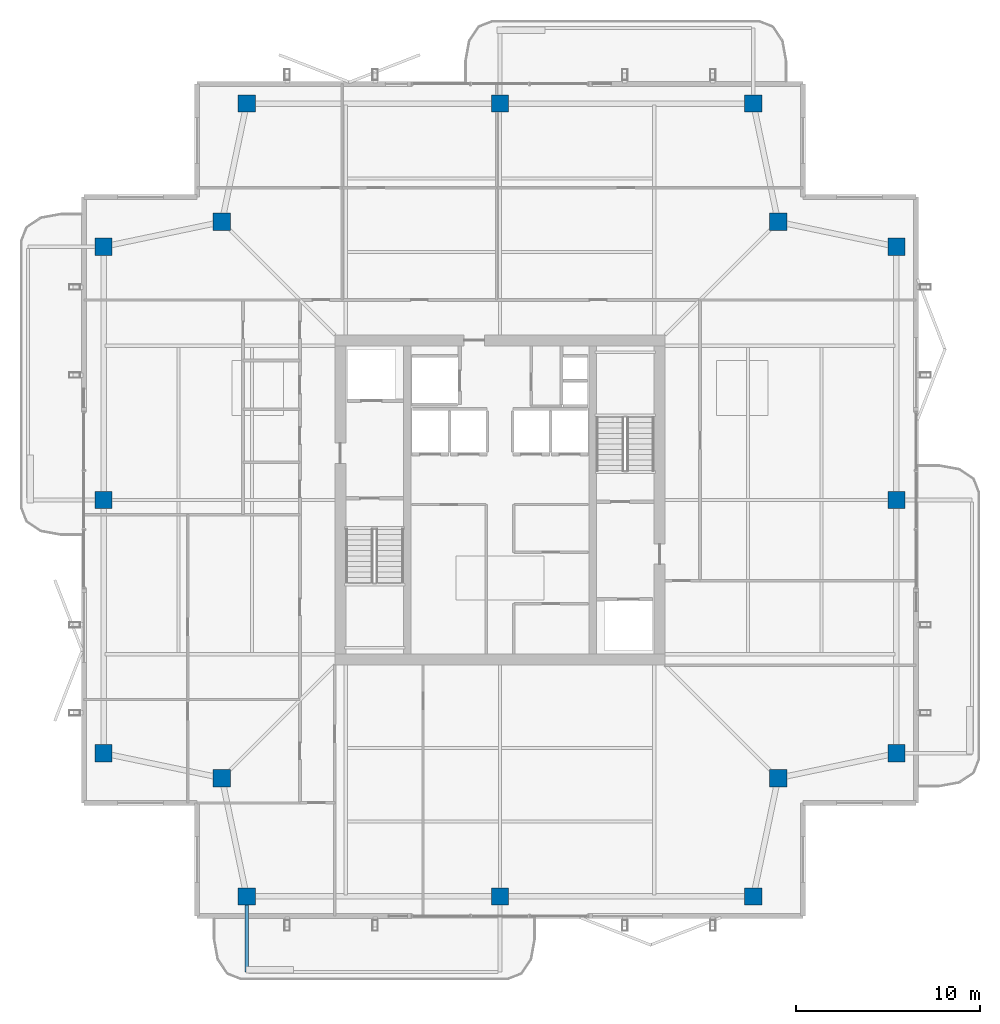
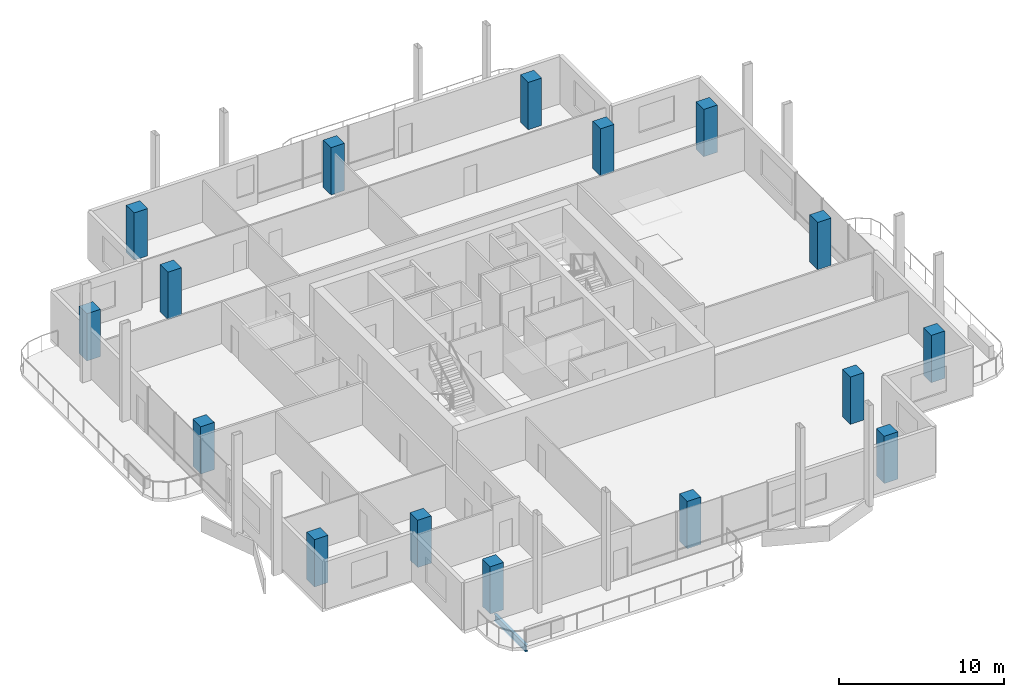
# One storey, part 1 of 20: 16 columns, 1 beam.
"""IFC4 building model written with IfcOpenShell, lengths in metres."""

from ifc_helpers import new_model, si_unit, direction, frame, origin, origin_2d, place, context, subcontext, project, spatial, rectangle, i_section, extrude, material, material_profile, profile_set, type_object, element, save


model = new_model("IFC4")

# Units and contexts
model_context = context("Model", 3, precision=1e-05, world=origin(), true_north=direction((0.0, 1.0)))
body_context = subcontext(model_context, "Body", "Model", "MODEL_VIEW")
ifc_project = project(units=[si_unit("LENGTHUNIT", "METRE"), si_unit("AREAUNIT", "SQUARE_METRE"), si_unit("VOLUMEUNIT", "CUBIC_METRE"), si_unit("PLANEANGLEUNIT", "RADIAN"), si_unit("MASSUNIT", "GRAM", prefix="KILO")], contexts=[model_context])

# Site, building, storey
site_placement = place(None, origin())
site = spatial("IfcSite", under=ifc_project, at=site_placement, CompositionType="ELEMENT")
building_placement = place(site_placement, origin())
building = spatial("IfcBuilding", under=site, at=building_placement, Name="Belovzor Exchange Tower", CompositionType="ELEMENT")
storey_placement = place(building_placement, frame((0.0, 0.0, 314.25)))
storey = spatial("IfcBuildingStorey", under=building, at=storey_placement, Name="L78", CompositionType="ELEMENT", Elevation=314.25)

# Columns
ifc_material_1 = material(Name="Concrete C50/60", Category="concrete")
ifc_material_profile_1 = material_profile(ifc_material_1, rectangle(XDim=0.949951171875, YDim=0.949951171875, at=origin_2d()))
ifc_profile_set_1 = profile_set([ifc_material_profile_1], Name="Concrete C50/60")
column_type = type_object("IfcColumnType", Name="Reinforced Concrete Tower Column 950x950", PredefinedType="COLUMN", material=ifc_profile_set_1)
for number, where, z_axis, x_axis, name in (
    (1, (15.0, 7.199951171875, 0.0029296875), (0.0, 0.0, 1.0), (1.0, 0.0, 0.0), "COL-T095 Reinforced Concrete Tower Column 950x950"),
    (2, (28.800048828125, 7.199951171875, 0.0029296875), (0.0, 0.0, 1.0), (1.0, 0.0, 0.0), "COL-T095 Reinforced Concrete Tower Column 950x950"),
    (3, (42.60009765625, 7.199951171875, 0.0029296875), (0.0, 0.0, 1.0), (1.0, 0.0, 0.0), "COL-T095 Reinforced Concrete Tower Column 950x950"),
    (4, (50.39990234375, 15.0, 0.0029296875), (0.0, 0.0, 1.0), (1.0, 0.0, 0.0), "COL-T095 Reinforced Concrete Tower Column 950x950"),
    (5, (50.39990234375, 28.800048828125, 0.0029296875), (0.0, 0.0, 1.0), (1.0, 0.0, 0.0), "COL-T095 Reinforced Concrete Tower Column 950x950"),
    (6, (50.39990234375, 42.60009765625, 0.0029296875), (0.0, 0.0, 1.0), (1.0, 0.0, 0.0), "COL-T095 Reinforced Concrete Tower Column 950x950"),
    (7, (42.60009765625, 50.39990234375, 0.0029296875), (0.0, 0.0, 1.0), (1.0, 0.0, 0.0), "COL-T095 Reinforced Concrete Tower Column 950x950"),
    (8, (28.800048828125, 50.39990234375, 0.0029296875), (0.0, 0.0, 1.0), (1.0, 0.0, 0.0), "COL-T095 Reinforced Concrete Tower Column 950x950"),
    (9, (15.0, 50.39990234375, 0.0029296875), (0.0, 0.0, 1.0), (1.0, 0.0, 0.0), "COL-T095 Reinforced Concrete Tower Column 950x950"),
    (10, (7.199951171875, 42.60009765625, 0.0029296875), (0.0, 0.0, 1.0), (1.0, 0.0, 0.0), "COL-T095 Reinforced Concrete Tower Column 950x950"),
    (11, (7.199951171875, 28.800048828125, 0.0029296875), (0.0, 0.0, 1.0), (1.0, 0.0, 0.0), "COL-T095 Reinforced Concrete Tower Column 950x950"),
    (12, (7.199951171875, 15.0, 0.0029296875), (0.0, 0.0, 1.0), (1.0, 0.0, 0.0), "COL-T095 Reinforced Concrete Tower Column 950x950"),
    (13, (13.64990234375, 13.64990234375, 0.0029296875), (0.0, 0.0, 1.0), (1.0, 0.0, 0.0), "COL-T095 Reinforced Concrete Tower Column 950x950"),
    (14, (43.949951171875, 13.64990234375, 0.0029296875), (0.0, 0.0, 1.0), (1.0, 0.0, 0.0), "COL-T095 Reinforced Concrete Tower Column 950x950"),
    (15, (43.949951171875, 43.949951171875, 0.0029296875), (0.0, 0.0, 1.0), (1.0, 0.0, 0.0), "COL-T095 Reinforced Concrete Tower Column 950x950"),
    (16, (13.64990234375, 43.949951171875, 0.0029296875), (0.0, 0.0, 1.0), (1.0, 0.0, 0.0), "COL-T095 Reinforced Concrete Tower Column 950x950"),
):
    element("IfcColumn", number, at=place(storey_placement, frame(where, z_axis=z_axis, x_axis=x_axis)), inside=storey, type_object=column_type, Name=name, PredefinedType="COLUMN", context=body_context, shape_type="SweptSolid", body=[
        extrude(rectangle(XDim=0.949951171875, YDim=0.949951171875, at=origin_2d()), origin(), (0.0, 0.0, 1.0), 3.504150390625),
    ])

# Beam
ifc_material_2 = material(Name="Steel S355", Category="steel")
ifc_material_profile_2 = material_profile(ifc_material_2, i_section(OverallWidth=0.199951171875, OverallDepth=0.5, WebThickness=0.01025390625, FlangeThickness=0.01611328125, at=origin_2d()))
ifc_profile_set_2 = profile_set([ifc_material_profile_2], Name="Steel S355")
beam_type = type_object("IfcBeamType", Name="Planted Balcony Cantilever Beam IPE 500", PredefinedType="BEAM", material=ifc_profile_set_2)
beam_placement = place(storey_placement, frame((15.0, 6.93896484375, -0.489990234375), z_axis=(0.0, -1.0, 0.0), x_axis=(1.0, 0.0, 0.0)))
element("IfcBeam", 17, at=beam_placement, inside=storey, type_object=beam_type, Name="BC-500 Planted Balcony Cantilever Beam IPE 500", PredefinedType="BEAM", context=body_context, shape_type="SweptSolid", body=[
    extrude(i_section(OverallWidth=0.199951171875, OverallDepth=0.5, WebThickness=0.01025390625, FlangeThickness=0.01611328125, at=origin_2d()), origin(), (0.0, 0.0, 1.0), 3.849853515625),
])

save(model, "model.ifc")
